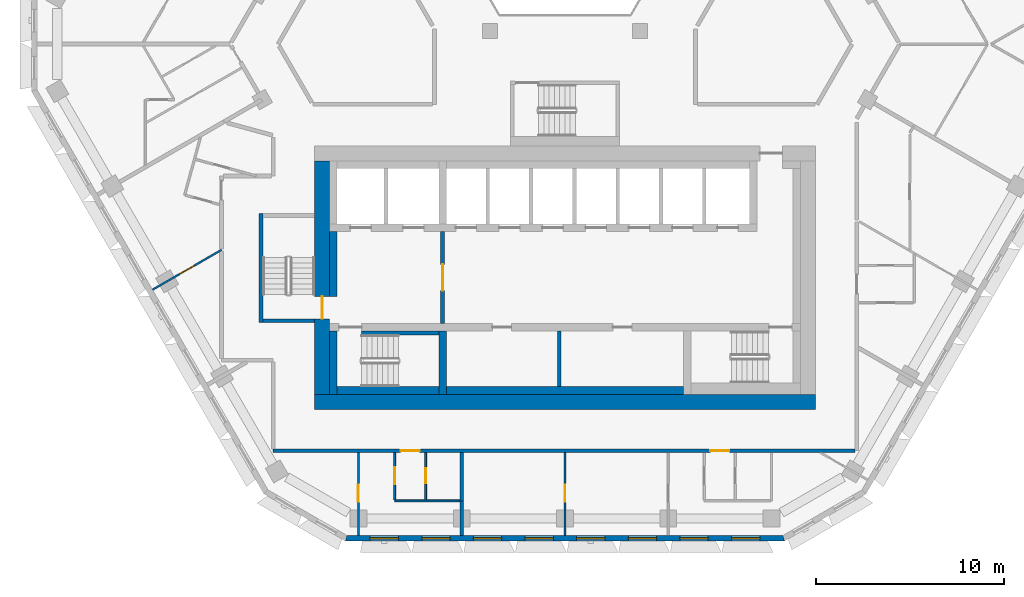
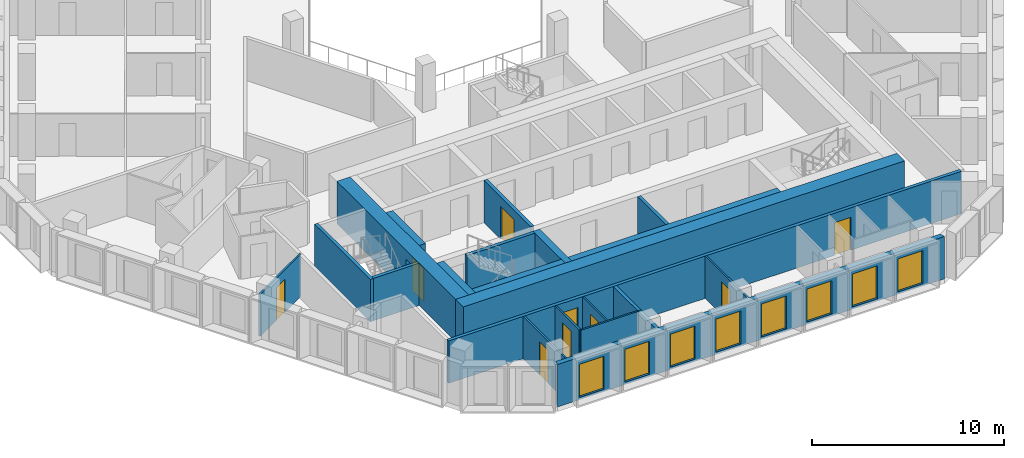
# One storey, part 3 of 17: 22 walls, 9 doors, 8 windows, 17 openings.
"""IFC4 building model written with IfcOpenShell, lengths in metres."""

from ifc_helpers import new_model, si_unit, direction, frame, frame_2d, origin, place, context, subcontext, project, spatial, polyline, rectangle, outline, extrude, material, layer, layer_set, type_object, element, fill, save


model = new_model("IFC4")

# Units and contexts
model_context = context("Model", 3, precision=1e-05, world=origin(), true_north=direction((0.0, 1.0)))
body_context = subcontext(model_context, "Body", "Model", "MODEL_VIEW")
ifc_project = project(units=[si_unit("LENGTHUNIT", "METRE"), si_unit("AREAUNIT", "SQUARE_METRE"), si_unit("VOLUMEUNIT", "CUBIC_METRE"), si_unit("PLANEANGLEUNIT", "RADIAN"), si_unit("MASSUNIT", "GRAM", prefix="KILO")], contexts=[model_context])

# Site, building, storey
site_placement = place(None, origin())
site = spatial("IfcSite", under=ifc_project, at=site_placement, CompositionType="ELEMENT")
building_placement = place(site_placement, origin())
building = spatial("IfcBuilding", under=site, at=building_placement, Name="Beryl Residences", CompositionType="ELEMENT")
storey_placement = place(building_placement, frame((0.0, 0.0, 144.60009765625)))
storey = spatial("IfcBuildingStorey", under=building, at=storey_placement, Name="L44", CompositionType="ELEMENT", Elevation=144.60009765625)

# Wall, openings, windows
ifc_material_1 = material(Name="Composite metal panel with mineral wool insulation")
ifc_layer_1 = layer(ifc_material_1, 0.300048828125)
ifc_layer_set_1 = layer_set([ifc_layer_1], Name="ES1 pale metal composite panel wall 300 mm")
wall_type_1 = type_object("IfcWallType", Name="ES1 pale metal composite panel wall 300 mm", PredefinedType="SOLIDWALL", material=ifc_layer_set_1)
wall_1_placement = place(storey_placement, frame((-11.662109375, -25.85009765625, 0.0), z_axis=(0.0, 0.0, 1.0), x_axis=(1.0, 0.0, 0.0)))
wall_1 = element("IfcWall", 1, at=wall_1_placement, inside=storey, type_object=wall_type_1, Name="ES1 external wall L44 S", PredefinedType="SOLIDWALL", context=body_context, shape_type="SweptSolid", body=[
    extrude(outline(polyline([(0.0, -0.14990234375), (23.32421875, -0.14990234375), (23.243896484375, 0.14990234375), (0.080322265625, 0.14990234375), (0.0, -0.14990234375)])), origin(), (0.0, 0.0, 1.0), 2.699951171875),
])
opening_1_placement = place(wall_1_placement, frame((1.31396484375, 0.0, 0.14990234375)))
opening_1 = element("IfcOpeningElement", 2, at=opening_1_placement, cuts=wall_1, Name="Opening W1", PredefinedType="OPENING", context=body_context, shape_type="SweptSolid", body=[
    extrude(rectangle(XDim=1.5, YDim=2.10009765625, at=frame_2d((0.75, 1.050048828125))), frame((0.0, 0.159912109375, 0.0), z_axis=(0.0, -1.0, 0.0), x_axis=(1.0, 0.0, 0.0)), (0.0, 0.0, 1.0), 0.320068359375),
])
opening_2_placement = place(wall_1_placement, frame((4.056884765625, 0.0, 0.14990234375)))
opening_2 = element("IfcOpeningElement", 3, at=opening_2_placement, cuts=wall_1, Name="Opening W1", PredefinedType="OPENING", context=body_context, shape_type="SweptSolid", body=[
    extrude(rectangle(XDim=1.5, YDim=2.10009765625, at=frame_2d((0.75, 1.050048828125))), frame((0.0, 0.159912109375, 0.0), z_axis=(0.0, -1.0, 0.0), x_axis=(1.0, 0.0, 0.0)), (0.0, 0.0, 1.0), 0.320068359375),
])
opening_3_placement = place(wall_1_placement, frame((6.799072265625, 0.0, 0.14990234375)))
opening_3 = element("IfcOpeningElement", 4, at=opening_3_placement, cuts=wall_1, Name="Opening W1", PredefinedType="OPENING", context=body_context, shape_type="SweptSolid", body=[
    extrude(rectangle(XDim=1.5, YDim=2.10009765625, at=frame_2d((0.75, 1.050048828125))), frame((0.0, 0.159912109375, 0.0), z_axis=(0.0, -1.0, 0.0), x_axis=(1.0, 0.0, 0.0)), (0.0, 0.0, 1.0), 0.320068359375),
])
opening_4_placement = place(wall_1_placement, frame((9.5419921875, 0.0, 0.14990234375)))
opening_4 = element("IfcOpeningElement", 5, at=opening_4_placement, cuts=wall_1, Name="Opening W1", PredefinedType="OPENING", context=body_context, shape_type="SweptSolid", body=[
    extrude(rectangle(XDim=1.5, YDim=2.10009765625, at=frame_2d((0.75, 1.050048828125))), frame((0.0, 0.159912109375, 0.0), z_axis=(0.0, -1.0, 0.0), x_axis=(1.0, 0.0, 0.0)), (0.0, 0.0, 1.0), 0.320068359375),
])
opening_5_placement = place(wall_1_placement, frame((12.283935546875, 0.0, 0.14990234375)))
opening_5 = element("IfcOpeningElement", 6, at=opening_5_placement, cuts=wall_1, Name="Opening W1", PredefinedType="OPENING", context=body_context, shape_type="SweptSolid", body=[
    extrude(rectangle(XDim=1.5, YDim=2.10009765625, at=frame_2d((0.75, 1.050048828125))), frame((0.0, 0.159912109375, 0.0), z_axis=(0.0, -1.0, 0.0), x_axis=(1.0, 0.0, 0.0)), (0.0, 0.0, 1.0), 0.320068359375),
])
opening_6_placement = place(wall_1_placement, frame((15.027099609375, 0.0, 0.14990234375)))
opening_6 = element("IfcOpeningElement", 7, at=opening_6_placement, cuts=wall_1, Name="Opening W1", PredefinedType="OPENING", context=body_context, shape_type="SweptSolid", body=[
    extrude(rectangle(XDim=1.5, YDim=2.10009765625, at=frame_2d((0.75, 1.050048828125))), frame((0.0, 0.159912109375, 0.0), z_axis=(0.0, -1.0, 0.0), x_axis=(1.0, 0.0, 0.0)), (0.0, 0.0, 1.0), 0.320068359375),
])
opening_7_placement = place(wall_1_placement, frame((17.76904296875, 0.0, 0.14990234375)))
opening_7 = element("IfcOpeningElement", 8, at=opening_7_placement, cuts=wall_1, Name="Opening W1", PredefinedType="OPENING", context=body_context, shape_type="SweptSolid", body=[
    extrude(rectangle(XDim=1.5, YDim=2.10009765625, at=frame_2d((0.75, 1.050048828125))), frame((0.0, 0.159912109375, 0.0), z_axis=(0.0, -1.0, 0.0), x_axis=(1.0, 0.0, 0.0)), (0.0, 0.0, 1.0), 0.320068359375),
])
opening_8_placement = place(wall_1_placement, frame((20.511962890625, 0.0, 0.14990234375)))
opening_8 = element("IfcOpeningElement", 9, at=opening_8_placement, cuts=wall_1, Name="Opening W1", PredefinedType="OPENING", context=body_context, shape_type="SweptSolid", body=[
    extrude(rectangle(XDim=1.5, YDim=2.10009765625, at=frame_2d((0.75, 1.050048828125))), frame((0.0, 0.159912109375, 0.0), z_axis=(0.0, -1.0, 0.0), x_axis=(1.0, 0.0, 0.0)), (0.0, 0.0, 1.0), 0.320068359375),
])
ifc_material_2 = material(Name="Aluminium and clear glass", Category="aluminium")
window_type = type_object("IfcWindowType", Name="W1 cell window 1500 x 2100 mm", PartitioningType="SINGLE_PANEL", PredefinedType="WINDOW", material=ifc_material_2)
window_1_placement = place(opening_1_placement, origin())
window_1 = element("IfcWindow", 10, at=window_1_placement, inside=storey, type_object=window_type, Name="W1 window L44 S 1", OverallHeight=2.10009765625, OverallWidth=1.5, PartitioningType="SINGLE_PANEL", PredefinedType="WINDOW", context=body_context, shape_type="SweptSolid", body=[
    extrude(rectangle(XDim=1.5, YDim=2.10009765625, at=frame_2d((0.75, 1.050048828125))), frame((0.0, 0.030029296875, 0.0), z_axis=(0.0, -1.0, 0.0), x_axis=(1.0, 0.0, 0.0)), (0.0, 0.0, 1.0), 0.06005859375),
])
fill(opening_1, window_1)
window_2_placement = place(opening_2_placement, origin())
window_2 = element("IfcWindow", 11, at=window_2_placement, inside=storey, type_object=window_type, Name="W1 window L44 S 2", OverallHeight=2.10009765625, OverallWidth=1.5, PartitioningType="SINGLE_PANEL", PredefinedType="WINDOW", context=body_context, shape_type="SweptSolid", body=[
    extrude(rectangle(XDim=1.5, YDim=2.10009765625, at=frame_2d((0.75, 1.050048828125))), frame((0.0, 0.030029296875, 0.0), z_axis=(0.0, -1.0, 0.0), x_axis=(1.0, 0.0, 0.0)), (0.0, 0.0, 1.0), 0.06005859375),
])
fill(opening_2, window_2)
window_3_placement = place(opening_3_placement, origin())
window_3 = element("IfcWindow", 12, at=window_3_placement, inside=storey, type_object=window_type, Name="W1 window L44 S 3", OverallHeight=2.10009765625, OverallWidth=1.5, PartitioningType="SINGLE_PANEL", PredefinedType="WINDOW", context=body_context, shape_type="SweptSolid", body=[
    extrude(rectangle(XDim=1.5, YDim=2.10009765625, at=frame_2d((0.75, 1.050048828125))), frame((0.0, 0.030029296875, 0.0), z_axis=(0.0, -1.0, 0.0), x_axis=(1.0, 0.0, 0.0)), (0.0, 0.0, 1.0), 0.06005859375),
])
fill(opening_3, window_3)
window_4_placement = place(opening_4_placement, origin())
window_4 = element("IfcWindow", 13, at=window_4_placement, inside=storey, type_object=window_type, Name="W1 window L44 S 4", OverallHeight=2.10009765625, OverallWidth=1.5, PartitioningType="SINGLE_PANEL", PredefinedType="WINDOW", context=body_context, shape_type="SweptSolid", body=[
    extrude(rectangle(XDim=1.5, YDim=2.10009765625, at=frame_2d((0.75, 1.050048828125))), frame((0.0, 0.030029296875, 0.0), z_axis=(0.0, -1.0, 0.0), x_axis=(1.0, 0.0, 0.0)), (0.0, 0.0, 1.0), 0.06005859375),
])
fill(opening_4, window_4)
window_5_placement = place(opening_5_placement, origin())
window_5 = element("IfcWindow", 14, at=window_5_placement, inside=storey, type_object=window_type, Name="W1 window L44 S 5", OverallHeight=2.10009765625, OverallWidth=1.5, PartitioningType="SINGLE_PANEL", PredefinedType="WINDOW", context=body_context, shape_type="SweptSolid", body=[
    extrude(rectangle(XDim=1.5, YDim=2.10009765625, at=frame_2d((0.75, 1.050048828125))), frame((0.0, 0.030029296875, 0.0), z_axis=(0.0, -1.0, 0.0), x_axis=(1.0, 0.0, 0.0)), (0.0, 0.0, 1.0), 0.06005859375),
])
fill(opening_5, window_5)
window_6_placement = place(opening_6_placement, origin())
window_6 = element("IfcWindow", 15, at=window_6_placement, inside=storey, type_object=window_type, Name="W1 window L44 S 6", OverallHeight=2.10009765625, OverallWidth=1.5, PartitioningType="SINGLE_PANEL", PredefinedType="WINDOW", context=body_context, shape_type="SweptSolid", body=[
    extrude(rectangle(XDim=1.5, YDim=2.10009765625, at=frame_2d((0.75, 1.050048828125))), frame((0.0, 0.030029296875, 0.0), z_axis=(0.0, -1.0, 0.0), x_axis=(1.0, 0.0, 0.0)), (0.0, 0.0, 1.0), 0.06005859375),
])
fill(opening_6, window_6)
window_7_placement = place(opening_7_placement, origin())
window_7 = element("IfcWindow", 16, at=window_7_placement, inside=storey, type_object=window_type, Name="W1 window L44 S 7", OverallHeight=2.10009765625, OverallWidth=1.5, PartitioningType="SINGLE_PANEL", PredefinedType="WINDOW", context=body_context, shape_type="SweptSolid", body=[
    extrude(rectangle(XDim=1.5, YDim=2.10009765625, at=frame_2d((0.75, 1.050048828125))), frame((0.0, 0.030029296875, 0.0), z_axis=(0.0, -1.0, 0.0), x_axis=(1.0, 0.0, 0.0)), (0.0, 0.0, 1.0), 0.06005859375),
])
fill(opening_7, window_7)
window_8_placement = place(opening_8_placement, origin())
window_8 = element("IfcWindow", 17, at=window_8_placement, inside=storey, type_object=window_type, Name="W1 window L44 S 8", OverallHeight=2.10009765625, OverallWidth=1.5, PartitioningType="SINGLE_PANEL", PredefinedType="WINDOW", context=body_context, shape_type="SweptSolid", body=[
    extrude(rectangle(XDim=1.5, YDim=2.10009765625, at=frame_2d((0.75, 1.050048828125))), frame((0.0, 0.030029296875, 0.0), z_axis=(0.0, -1.0, 0.0), x_axis=(1.0, 0.0, 0.0)), (0.0, 0.0, 1.0), 0.06005859375),
])
fill(opening_8, window_8)

# Wall, opening, door
ifc_material_3 = material(Name="Gypsum board partition on steel studs", Category="steel")
ifc_layer_2 = layer(ifc_material_3, 0.10009765625)
ifc_layer_set_2 = layer_set([ifc_layer_2], Name="PT1 partition 100 mm gypsum board on steel studs")
wall_type_2 = type_object("IfcWallType", Name="PT1 partition 100 mm gypsum board on steel studs", PredefinedType="PARTITIONING", material=ifc_layer_set_2)
wall_2_placement = place(storey_placement, frame((-9.049072265625, -21.300048828125, 0.0), z_axis=(0.0, 0.0, 1.0), x_axis=(0.0, -1.0, 0.0)))
wall_2 = element("IfcWall", 18, at=wall_2_placement, inside=storey, type_object=wall_type_2, Name="Wall PT1 L44 008", PredefinedType="PARTITIONING", context=body_context, shape_type="SweptSolid", body=[
    extrude(rectangle(XDim=2.509033203125, YDim=0.10009765625, at=frame_2d((1.25439453125, 0.0))), origin(), (0.0, 0.0, 1.0), 2.699951171875),
])
opening_9_placement = place(wall_2_placement, frame((0.780029296875, 0.0, 0.0)))
opening_9 = element("IfcOpeningElement", 19, at=opening_9_placement, cuts=wall_2, Name="Opening D1106", PredefinedType="OPENING", context=body_context, shape_type="SweptSolid", body=[
    extrude(rectangle(XDim=0.89990234375, YDim=2.10009765625, at=frame_2d((0.449951171875, 1.050048828125))), frame((0.0, 0.06005859375, 0.0), z_axis=(0.0, -1.0, 0.0), x_axis=(1.0, 0.0, 0.0)), (0.0, 0.0, 1.0), 0.1201171875),
])
ifc_material_4 = material(Name="Timber door leaf", Category="wood")
door_type_1 = type_object("IfcDoorType", Name="D2 room door 900 x 2100 mm", OperationType="SINGLE_SWING_LEFT", PredefinedType="DOOR", material=ifc_material_4)
door_1_placement = place(opening_9_placement, origin())
door_1 = element("IfcDoor", 20, at=door_1_placement, inside=storey, type_object=door_type_1, Name="Door D1106 L44 001", OperationType="SINGLE_SWING_RIGHT", OverallHeight=2.10009765625, OverallWidth=0.89990234375, PredefinedType="DOOR", context=body_context, shape_type="SweptSolid", body=[
    extrude(rectangle(XDim=0.89990234375, YDim=2.10009765625, at=frame_2d((0.449951171875, 1.050048828125))), frame((0.0, 0.02490234375, 0.0), z_axis=(0.0, -1.0, 0.0), x_axis=(1.0, 0.0, 0.0)), (0.0, 0.0, 1.0), 0.050048828125),
])
fill(opening_9, door_1)

# Wall
wall_3_placement = place(storey_placement, frame((-9.048095703125, -23.860107421875, 0.0), z_axis=(0.0, 0.0, 1.0), x_axis=(1.0, 0.0, 0.0)))
element("IfcWall", 21, at=wall_3_placement, inside=storey, type_object=wall_type_2, Name="Wall PT1 L44 021", PredefinedType="PARTITIONING", context=body_context, shape_type="SweptSolid", body=[
    extrude(rectangle(XDim=3.464111328125, YDim=0.10009765625, at=frame_2d((1.73193359375, 0.0))), origin(), (0.0, 0.0, 1.0), 2.699951171875),
])

# Wall, opening, door
wall_4_placement = place(storey_placement, frame((0.0009765625, -25.699951171875, 0.0), z_axis=(0.0, 0.0, 1.0), x_axis=(0.0, 1.0, 0.0)))
wall_4 = element("IfcWall", 22, at=wall_4_placement, inside=storey, type_object=wall_type_2, Name="Wall PT1 L44 044", PredefinedType="PARTITIONING", context=body_context, shape_type="SweptSolid", body=[
    extrude(rectangle(XDim=4.39990234375, YDim=0.10009765625, at=frame_2d((2.199951171875, 0.0))), origin(), (0.0, 0.0, 1.0), 2.699951171875),
])
opening_10_placement = place(wall_4_placement, frame((1.800048828125, 0.0, 0.0)))
opening_10 = element("IfcOpeningElement", 23, at=opening_10_placement, cuts=wall_4, Name="Opening D1114", PredefinedType="OPENING", context=body_context, shape_type="SweptSolid", body=[
    extrude(rectangle(XDim=0.89990234375, YDim=2.10009765625, at=frame_2d((0.449951171875, 1.050048828125))), frame((0.0, 0.06005859375, 0.0), z_axis=(0.0, -1.0, 0.0), x_axis=(1.0, 0.0, 0.0)), (0.0, 0.0, 1.0), 0.1201171875),
])
door_2_placement = place(opening_10_placement, origin())
door_2 = element("IfcDoor", 24, at=door_2_placement, inside=storey, type_object=door_type_1, Name="Door D1114 L44 001", OperationType="SINGLE_SWING_RIGHT", OverallHeight=2.10009765625, OverallWidth=0.89990234375, PredefinedType="DOOR", context=body_context, shape_type="SweptSolid", body=[
    extrude(rectangle(XDim=0.89990234375, YDim=2.10009765625, at=frame_2d((0.449951171875, 1.050048828125))), frame((0.0, 0.02490234375, 0.0), z_axis=(0.0, -1.0, 0.0), x_axis=(1.0, 0.0, 0.0)), (0.0, 0.0, 1.0), 0.050048828125),
])
fill(opening_10, door_2)

wall_5_placement = place(storey_placement, frame((-7.404052734375, -23.81005859375, 0.0), z_axis=(0.0, 0.0, 1.0), x_axis=(0.0, 1.0, 0.0)))
wall_5 = element("IfcWall", 25, at=wall_5_placement, inside=storey, type_object=wall_type_2, Name="Wall PT1 L44 047", PredefinedType="PARTITIONING", context=body_context, shape_type="SweptSolid", body=[
    extrude(rectangle(XDim=2.510009765625, YDim=0.10009765625, at=frame_2d((1.2548828125, 0.0))), origin(), (0.0, 0.0, 1.0), 2.699951171875),
])
opening_11_placement = place(wall_5_placement, frame((0.8798828125, 0.0, 0.0)))
opening_11 = element("IfcOpeningElement", 26, at=opening_11_placement, cuts=wall_5, Name="Opening D1107", PredefinedType="OPENING", context=body_context, shape_type="SweptSolid", body=[
    extrude(rectangle(XDim=0.800048828125, YDim=2.10009765625, at=frame_2d((0.39990234375, 1.050048828125))), frame((0.0, 0.06005859375, 0.0), z_axis=(0.0, -1.0, 0.0), x_axis=(1.0, 0.0, 0.0)), (0.0, 0.0, 1.0), 0.1201171875),
])
ifc_material_5 = material(Name="Timber door leaf", Category="wood")
door_type_2 = type_object("IfcDoorType", Name="D3 bathroom door 800 x 2100 mm", OperationType="SINGLE_SWING_LEFT", PredefinedType="DOOR", material=ifc_material_5)
door_3_placement = place(opening_11_placement, origin())
door_3 = element("IfcDoor", 27, at=door_3_placement, inside=storey, type_object=door_type_2, Name="Door D1107 L44 001", OperationType="SINGLE_SWING_LEFT", OverallHeight=2.10009765625, OverallWidth=0.800048828125, PredefinedType="DOOR", context=body_context, shape_type="SweptSolid", body=[
    extrude(rectangle(XDim=0.800048828125, YDim=2.10009765625, at=frame_2d((0.39990234375, 1.050048828125))), frame((0.0, 0.02490234375, 0.0), z_axis=(0.0, -1.0, 0.0), x_axis=(1.0, 0.0, 0.0)), (0.0, 0.0, 1.0), 0.050048828125),
])
fill(opening_11, door_3)

wall_6_placement = place(storey_placement, frame((-10.968994140625, -25.699951171875, 0.0), z_axis=(0.0, 0.0, 1.0), x_axis=(0.0, 1.0, 0.0)))
wall_6 = element("IfcWall", 28, at=wall_6_placement, inside=storey, type_object=wall_type_2, Name="Wall PT1 L44 048", PredefinedType="PARTITIONING", context=body_context, shape_type="SweptSolid", body=[
    extrude(rectangle(XDim=4.39990234375, YDim=0.10009765625, at=frame_2d((2.199951171875, 0.0))), origin(), (0.0, 0.0, 1.0), 2.699951171875),
])
opening_12_placement = place(wall_6_placement, frame((1.800048828125, 0.0, 0.0)))
opening_12 = element("IfcOpeningElement", 29, at=opening_12_placement, cuts=wall_6, Name="Opening D1108", PredefinedType="OPENING", context=body_context, shape_type="SweptSolid", body=[
    extrude(rectangle(XDim=0.89990234375, YDim=2.10009765625, at=frame_2d((0.449951171875, 1.050048828125))), frame((0.0, 0.06005859375, 0.0), z_axis=(0.0, -1.0, 0.0), x_axis=(1.0, 0.0, 0.0)), (0.0, 0.0, 1.0), 0.1201171875),
])
door_4_placement = place(opening_12_placement, origin())
door_4 = element("IfcDoor", 30, at=door_4_placement, inside=storey, type_object=door_type_1, Name="Door D1108 L44 001", OperationType="SINGLE_SWING_RIGHT", OverallHeight=2.10009765625, OverallWidth=0.89990234375, PredefinedType="DOOR", context=body_context, shape_type="SweptSolid", body=[
    extrude(rectangle(XDim=0.89990234375, YDim=2.10009765625, at=frame_2d((0.449951171875, 1.050048828125))), frame((0.0, 0.02490234375, 0.0), z_axis=(0.0, -1.0, 0.0), x_axis=(1.0, 0.0, 0.0)), (0.0, 0.0, 1.0), 0.050048828125),
])
fill(opening_12, door_4)

wall_7_placement = place(storey_placement, frame((-21.910888671875, -12.64892578125, 0.0), z_axis=(0.0, 0.0, 1.0), x_axis=(0.865984571374, 0.500070717141, 0.0)))
wall_7 = element("IfcWall", 31, at=wall_7_placement, inside=storey, type_object=wall_type_2, Name="Wall PT1 L44 052", PredefinedType="PARTITIONING", context=body_context, shape_type="SweptSolid", body=[
    extrude(rectangle(XDim=4.2275390625, YDim=0.10009765625, at=frame_2d((2.11376953125, 0.0))), origin(), (0.0, 0.0, 1.0), 2.699951171875),
])
opening_13_placement = place(wall_7_placement, frame((1.6630859375, 0.0, 0.0)))
opening_13 = element("IfcOpeningElement", 32, at=opening_13_placement, cuts=wall_7, Name="Opening D1104", PredefinedType="OPENING", context=body_context, shape_type="SweptSolid", body=[
    extrude(rectangle(XDim=0.89990234375, YDim=2.10009765625, at=frame_2d((0.449951171875, 1.050048828125))), frame((0.0, 0.06005859375, 0.0), z_axis=(0.0, -1.0, 0.0), x_axis=(1.0, 0.0, 0.0)), (0.0, 0.0, 1.0), 0.1201171875),
])
door_5_placement = place(opening_13_placement, origin())
door_5 = element("IfcDoor", 33, at=door_5_placement, inside=storey, type_object=door_type_1, Name="Door D1104 L44 001", OperationType="SINGLE_SWING_RIGHT", OverallHeight=2.10009765625, OverallWidth=0.89990234375, PredefinedType="DOOR", context=body_context, shape_type="SweptSolid", body=[
    extrude(rectangle(XDim=0.89990234375, YDim=2.10009765625, at=frame_2d((0.449951171875, 1.050048828125))), frame((0.0, 0.02490234375, 0.0), z_axis=(0.0, -1.0, 0.0), x_axis=(1.0, 0.0, 0.0)), (0.0, 0.0, 1.0), 0.050048828125),
])
fill(opening_13, door_5)

ifc_material_6 = material(Name="Concrete masonry", Category="masonry")
ifc_layer_3 = layer(ifc_material_6, 0.199951171875)
ifc_layer_set_3 = layer_set([ifc_layer_3], Name="PT13 lobby wall 200 mm")
wall_type_3 = type_object("IfcWallType", Name="PT13 lobby wall 200 mm", PredefinedType="PARTITIONING", material=ifc_layer_set_3)
wall_8_placement = place(storey_placement, frame((-6.5, -14.449951171875, 0.0), z_axis=(0.0, 0.0, 1.0), x_axis=(0.0, 1.0, 0.0)))
wall_8 = element("IfcWall", 34, at=wall_8_placement, inside=storey, type_object=wall_type_3, Name="Lobby wall 11", PredefinedType="PARTITIONING", context=body_context, shape_type="SweptSolid", body=[
    extrude(rectangle(XDim=4.89990234375, YDim=0.199951171875, at=frame_2d((2.449951171875, 0.0))), origin(), (0.0, 0.0, 1.0), 2.699951171875),
])
opening_14_placement = place(wall_8_placement, frame((3.14990234375, 0.0, 0.0), z_axis=(0.0, 0.0, 1.0), x_axis=(-1.0, 0.0, 0.0)))
opening_14 = element("IfcOpeningElement", 35, at=opening_14_placement, cuts=wall_8, Name="Opening FD-FFL", PredefinedType="OPENING", context=body_context, shape_type="SweptSolid", body=[
    extrude(rectangle(XDim=1.39990234375, YDim=2.10009765625, at=frame_2d((0.699951171875, 1.050048828125))), frame((0.0, 0.10986328125, 0.0), z_axis=(0.0, -1.0, 0.0), x_axis=(1.0, 0.0, 0.0)), (0.0, 0.0, 1.0), 0.219970703125),
])
ifc_material_7 = material(Name="Steel door leaf in steel frame", Category="steel")
door_type_3 = type_object("IfcDoorType", Name="D5 lobby door 1400 x 2100 mm", OperationType="DOUBLE_DOOR_SINGLE_SWING", PredefinedType="DOOR", material=ifc_material_7)
door_6_placement = place(opening_14_placement, origin())
door_6 = element("IfcDoor", 36, at=door_6_placement, inside=storey, type_object=door_type_3, Name="Door FD-FFL L44 001", OperationType="DOUBLE_DOOR_SINGLE_SWING", OverallHeight=2.10009765625, OverallWidth=1.39990234375, PredefinedType="DOOR", context=body_context, shape_type="SweptSolid", body=[
    extrude(rectangle(XDim=1.39990234375, YDim=2.10009765625, at=frame_2d((0.699951171875, 1.050048828125))), frame((0.0, 0.02490234375, 0.0), z_axis=(0.0, -1.0, 0.0), x_axis=(1.0, 0.0, 0.0)), (0.0, 0.0, 1.0), 0.050048828125),
])
fill(opening_14, door_6)

# Walls
ifc_material_8 = material(Name="Concrete masonry", Category="masonry")
ifc_layer_4 = layer(ifc_material_8, 0.39990234375)
ifc_layer_set_4 = layer_set([ifc_layer_4], Name="PT13-400 lobby wall 400 mm")
wall_type_4 = type_object("IfcWallType", Name="PT13-400 lobby wall 400 mm", PredefinedType="PARTITIONING", material=ifc_layer_set_4)
wall_9_placement = place(storey_placement, frame((-12.300048828125, -13.0, 0.0), z_axis=(0.0, 0.0, 1.0), x_axis=(0.0, 1.0, 0.0)))
element("IfcWall", 37, at=wall_9_placement, inside=storey, type_object=wall_type_4, Name="Lobby wall 05", PredefinedType="PARTITIONING", context=body_context, shape_type="SweptSolid", body=[
    extrude(rectangle(XDim=3.449951171875, YDim=0.39990234375, at=frame_2d((1.72509765625, 0.0))), origin(), (0.0, 0.0, 1.0), 2.699951171875),
])
ifc_material_9 = material(Name="Acoustic double stud gypsum board wall")
ifc_layer_5 = layer(ifc_material_9, 0.199951171875)
ifc_layer_set_5 = layer_set([ifc_layer_5], Name="PT3 party wall 200 mm acoustic double stud")
wall_type_5 = type_object("IfcWallType", Name="PT3 party wall 200 mm acoustic double stud", PredefinedType="PARTITIONING", material=ifc_layer_set_5)
wall_10_placement = place(storey_placement, frame((-5.48388671875, -23.860107421875, 0.0), z_axis=(0.0, 0.0, 1.0), x_axis=(0.0, -1.0, 0.0)))
element("IfcWall", 38, at=wall_10_placement, inside=storey, type_object=wall_type_5, Name="Wall PT3 L44 003", PredefinedType="PARTITIONING", context=body_context, shape_type="SweptSolid", body=[
    extrude(rectangle(XDim=1.83984375, YDim=0.199951171875, at=frame_2d((0.919921875, 0.0))), origin(), (0.0, 0.0, 1.0), 2.699951171875),
])
wall_11_placement = place(storey_placement, frame((-5.48388671875, -23.860107421875, 0.0), z_axis=(0.0, 0.0, 1.0), x_axis=(0.0, 1.0, 0.0)))
element("IfcWall", 39, at=wall_11_placement, inside=storey, type_object=wall_type_5, Name="Wall PT3 L44 009", PredefinedType="PARTITIONING", context=body_context, shape_type="SweptSolid", body=[
    extrude(rectangle(XDim=2.56005859375, YDim=0.199951171875, at=frame_2d((1.280029296875, 0.0))), origin(), (0.0, 0.0, 1.0), 2.699951171875),
])

# Wall, openings, doors
ifc_material_10 = material(Name="Double stud gypsum board wall")
ifc_layer_6 = layer(ifc_material_10, 0.199951171875)
ifc_layer_set_6 = layer_set([ifc_layer_6], Name="PT4 corridor wall 200 mm double stud")
wall_type_6 = type_object("IfcWallType", Name="PT4 corridor wall 200 mm double stud", PredefinedType="PARTITIONING", material=ifc_layer_set_6)
wall_12_placement = place(storey_placement, frame((-15.4990234375, -21.199951171875, 0.0), z_axis=(0.0, 0.0, 1.0), x_axis=(1.0, 0.0, 0.0)))
wall_12 = element("IfcWall", 40, at=wall_12_placement, inside=storey, type_object=wall_type_6, Name="Wall PT4 L44 012", PredefinedType="PARTITIONING", context=body_context, shape_type="SweptSolid", body=[
    extrude(rectangle(XDim=30.89794921875, YDim=0.199951171875, at=frame_2d((15.448974609375, 0.0))), origin(), (0.0, 0.0, 1.0), 2.699951171875),
])
opening_15_placement = place(wall_12_placement, frame((6.77294921875, 0.0, 0.0)))
opening_15 = element("IfcOpeningElement", 41, at=opening_15_placement, cuts=wall_12, Name="Opening D1105", PredefinedType="OPENING", context=body_context, shape_type="SweptSolid", body=[
    extrude(rectangle(XDim=1.0, YDim=2.10009765625, at=frame_2d((0.5, 1.050048828125))), frame((0.0, 0.10986328125, 0.0), z_axis=(0.0, -1.0, 0.0), x_axis=(1.0, 0.0, 0.0)), (0.0, 0.0, 1.0), 0.219970703125),
])
opening_16_placement = place(wall_12_placement, frame((23.22802734375, 0.0, 0.0)))
opening_16 = element("IfcOpeningElement", 42, at=opening_16_placement, cuts=wall_12, Name="Opening D1109", PredefinedType="OPENING", context=body_context, shape_type="SweptSolid", body=[
    extrude(rectangle(XDim=1.0, YDim=2.10009765625, at=frame_2d((0.5, 1.050048828125))), frame((0.0, 0.10986328125, 0.0), z_axis=(0.0, -1.0, 0.0), x_axis=(1.0, 0.0, 0.0)), (0.0, 0.0, 1.0), 0.219970703125),
])
ifc_material_11 = material(Name="Timber door leaf", Category="wood")
door_type_4 = type_object("IfcDoorType", Name="D1 flat entrance door 1000 x 2100 mm", OperationType="SINGLE_SWING_LEFT", PredefinedType="DOOR", material=ifc_material_11)
door_7_placement = place(opening_15_placement, origin())
door_7 = element("IfcDoor", 43, at=door_7_placement, inside=storey, type_object=door_type_4, Name="Door D1105 L44 001", OperationType="SINGLE_SWING_LEFT", OverallHeight=2.10009765625, OverallWidth=1.0, PredefinedType="DOOR", context=body_context, shape_type="SweptSolid", body=[
    extrude(rectangle(XDim=1.0, YDim=2.10009765625, at=frame_2d((0.5, 1.050048828125))), frame((0.0, 0.02490234375, 0.0), z_axis=(0.0, -1.0, 0.0), x_axis=(1.0, 0.0, 0.0)), (0.0, 0.0, 1.0), 0.050048828125),
])
fill(opening_15, door_7)
door_8_placement = place(opening_16_placement, origin())
door_8 = element("IfcDoor", 44, at=door_8_placement, inside=storey, type_object=door_type_4, Name="Door D1109 L44 001", OperationType="SINGLE_SWING_LEFT", OverallHeight=2.10009765625, OverallWidth=1.0, PredefinedType="DOOR", context=body_context, shape_type="SweptSolid", body=[
    extrude(rectangle(XDim=1.0, YDim=2.10009765625, at=frame_2d((0.5, 1.050048828125))), frame((0.0, 0.02490234375, 0.0), z_axis=(0.0, -1.0, 0.0), x_axis=(1.0, 0.0, 0.0)), (0.0, 0.0, 1.0), 0.050048828125),
])
fill(opening_16, door_8)

# Walls
ifc_material_12 = material(Name="Concrete C40/50", Category="concrete")
ifc_layer_7 = layer(ifc_material_12, 0.199951171875)
ifc_layer_set_7 = layer_set([ifc_layer_7], Name="PT5 stair enclosure wall 200 mm reinforced concrete C40/50")
wall_type_7 = type_object("IfcWallType", Name="PT5 stair enclosure wall 200 mm reinforced concrete C40/50", PredefinedType="SOLIDWALL", material=ifc_layer_set_7)
wall_13_placement = place(storey_placement, frame((-16.14990234375, -14.39990234375, 0.0), z_axis=(0.0, 0.0, 1.0), x_axis=(0.0, 1.0, 0.0)))
element("IfcWall", 45, at=wall_13_placement, inside=storey, type_object=wall_type_7, Name="Stair wall 01", PredefinedType="SOLIDWALL", context=body_context, shape_type="SweptSolid", body=[
    extrude(rectangle(XDim=5.7998046875, YDim=0.199951171875, at=frame_2d((2.89990234375, 0.0))), origin(), (0.0, 0.0, 1.0), 2.699951171875),
])
wall_14_placement = place(storey_placement, frame((-16.050048828125, -14.300048828125, 0.0), z_axis=(0.0, 0.0, 1.0), x_axis=(1.0, 0.0, 0.0)))
element("IfcWall", 46, at=wall_14_placement, inside=storey, type_object=wall_type_7, Name="Stair wall 02", PredefinedType="SOLIDWALL", context=body_context, shape_type="SweptSolid", body=[
    extrude(rectangle(XDim=2.75, YDim=0.199951171875, at=frame_2d((1.375, 0.0))), origin(), (0.0, 0.0, 1.0), 2.699951171875),
])
wall_15_placement = place(storey_placement, frame((-10.800048828125, -14.949951171875, 0.0), z_axis=(0.0, 0.0, 1.0), x_axis=(1.0, 0.0, 0.0)))
element("IfcWall", 47, at=wall_15_placement, inside=storey, type_object=wall_type_7, Name="Stair wall 09", PredefinedType="SOLIDWALL", context=body_context, shape_type="SweptSolid", body=[
    extrude(rectangle(XDim=4.10009765625, YDim=0.199951171875, at=frame_2d((2.050048828125, 0.0))), origin(), (0.0, 0.0, 1.0), 2.699951171875),
])
ifc_material_13 = material(Name="Concrete C40/50", Category="concrete")
ifc_layer_8 = layer(ifc_material_13, 0.39990234375)
ifc_layer_set_8 = layer_set([ifc_layer_8], Name="PT5-400 stair enclosure wall 400 mm")
wall_type_8 = type_object("IfcWallType", Name="PT5-400 stair enclosure wall 400 mm", PredefinedType="SOLIDWALL", material=ifc_layer_set_8)
wall_16_placement = place(storey_placement, frame((-12.300048828125, -18.199951171875, 0.0), z_axis=(0.0, 0.0, 1.0), x_axis=(0.0, 1.0, 0.0)))
element("IfcWall", 48, at=wall_16_placement, inside=storey, type_object=wall_type_8, Name="Stair wall 04", PredefinedType="SOLIDWALL", context=body_context, shape_type="SweptSolid", body=[
    extrude(rectangle(XDim=3.349853515625, YDim=0.39990234375, at=frame_2d((1.6748046875, 0.0))), origin(), (0.0, 0.0, 1.0), 2.699951171875),
])
wall_17_placement = place(storey_placement, frame((-12.10009765625, -18.0, 0.0), z_axis=(0.0, 0.0, 1.0), x_axis=(1.0, 0.0, 0.0)))
element("IfcWall", 49, at=wall_17_placement, inside=storey, type_object=wall_type_8, Name="Stair wall 07", PredefinedType="SOLIDWALL", context=body_context, shape_type="SweptSolid", body=[
    extrude(rectangle(XDim=5.400146484375, YDim=0.39990234375, at=frame_2d((2.7001953125, 0.0))), origin(), (0.0, 0.0, 1.0), 2.699951171875),
])
ifc_material_14 = material(Name="Concrete masonry", Category="masonry")
ifc_layer_9 = layer(ifc_material_14, 0.199951171875)
ifc_layer_set_9 = layer_set([ifc_layer_9], Name="PT8-200 service room wall 200 mm")
wall_type_9 = type_object("IfcWallType", Name="PT8-200 service room wall 200 mm", PredefinedType="PARTITIONING", material=ifc_layer_set_9)
wall_18_placement = place(storey_placement, frame((-0.300048828125, -17.800048828125, 0.0), z_axis=(0.0, 0.0, 1.0), x_axis=(0.0, 1.0, 0.0)))
element("IfcWall", 50, at=wall_18_placement, inside=storey, type_object=wall_type_9, Name="Core room wall 16", PredefinedType="PARTITIONING", context=body_context, shape_type="SweptSolid", body=[
    extrude(rectangle(XDim=2.949951171875, YDim=0.199951171875, at=frame_2d((1.47509765625, 0.0))), origin(), (0.0, 0.0, 1.0), 2.699951171875),
])
ifc_material_15 = material(Name="Concrete masonry", Category="masonry")
ifc_layer_10 = layer(ifc_material_15, 0.39990234375)
ifc_layer_set_10 = layer_set([ifc_layer_10], Name="PT8-400 service room wall 400 mm")
wall_type_10 = type_object("IfcWallType", Name="PT8-400 service room wall 400 mm", PredefinedType="PARTITIONING", material=ifc_layer_set_10)
wall_19_placement = place(storey_placement, frame((-6.300048828125, -18.0, 0.0), z_axis=(0.0, 0.0, 1.0), x_axis=(1.0, 0.0, 0.0)))
element("IfcWall", 51, at=wall_19_placement, inside=storey, type_object=wall_type_10, Name="Core room wall 12", PredefinedType="PARTITIONING", context=body_context, shape_type="SweptSolid", body=[
    extrude(rectangle(XDim=12.60009765625, YDim=0.39990234375, at=frame_2d((6.300048828125, 0.0))), origin(), (0.0, 0.0, 1.0), 2.699951171875),
])
ifc_material_16 = material(Name="Concrete C60/75", Category="concrete")
ifc_layer_11 = layer(ifc_material_16, 0.800048828125)
ifc_layer_set_11 = layer_set([ifc_layer_11], Name="SW3 core outer wall 800 mm C60/75")
wall_type_11 = type_object("IfcWallType", Name="SW3 core outer wall 800 mm C60/75", PredefinedType="SHEAR", material=ifc_layer_set_11)
wall_20_placement = place(storey_placement, frame((-13.300048828125, -18.60009765625, 0.0), z_axis=(0.0, 0.0, 1.0), x_axis=(1.0, 0.0, 0.0)))
element("IfcWall", 52, at=wall_20_placement, inside=storey, type_object=wall_type_11, Name="Core wall S L44", PredefinedType="SHEAR", context=body_context, shape_type="SweptSolid", body=[
    extrude(rectangle(XDim=26.60009765625, YDim=0.800048828125, at=frame_2d((13.300048828125, 0.0))), origin(), (0.0, 0.0, 1.0), 2.699951171875),
])

# Wall, opening, door
wall_21_placement = place(storey_placement, frame((-12.89990234375, -18.199951171875, 0.0), z_axis=(0.0, 0.0, 1.0), x_axis=(0.0, 1.0, 0.0)))
wall_21 = element("IfcWall", 53, at=wall_21_placement, inside=storey, type_object=wall_type_11, Name="Core wall W L44", PredefinedType="SHEAR", context=body_context, shape_type="SweptSolid", body=[
    extrude(rectangle(XDim=12.39990234375, YDim=0.800048828125, at=frame_2d((6.199951171875, 0.0))), origin(), (0.0, 0.0, 1.0), 2.699951171875),
])
opening_17_placement = place(wall_21_placement, frame((4.0, 0.0, 0.0)))
opening_17 = element("IfcOpeningElement", 54, at=opening_17_placement, cuts=wall_21, Name="Opening SD-2", PredefinedType="OPENING", context=body_context, shape_type="SweptSolid", body=[
    extrude(rectangle(XDim=1.199951171875, YDim=2.10009765625, at=frame_2d((0.60009765625, 1.050048828125))), frame((0.0, 0.409912109375, 0.0), z_axis=(0.0, -1.0, 0.0), x_axis=(1.0, 0.0, 0.0)), (0.0, 0.0, 1.0), 0.820068359375),
])
ifc_material_17 = material(Name="Steel door leaf in steel frame", Category="steel")
door_type_5 = type_object("IfcDoorType", Name="D4 stair door 1200 x 2100 mm", OperationType="SINGLE_SWING_LEFT", PredefinedType="DOOR", material=ifc_material_17)
door_9_placement = place(opening_17_placement, origin())
door_9 = element("IfcDoor", 55, at=door_9_placement, inside=storey, type_object=door_type_5, Name="Door SD-2 L44 001", OperationType="SINGLE_SWING_RIGHT", OverallHeight=2.10009765625, OverallWidth=1.199951171875, PredefinedType="DOOR", context=body_context, shape_type="SweptSolid", body=[
    extrude(rectangle(XDim=1.199951171875, YDim=2.10009765625, at=frame_2d((0.60009765625, 1.050048828125))), frame((0.0, 0.02490234375, 0.0), z_axis=(0.0, -1.0, 0.0), x_axis=(1.0, 0.0, 0.0)), (0.0, 0.0, 1.0), 0.050048828125),
])
fill(opening_17, door_9)

# Wall
ifc_material_18 = material(Name="Concrete C60/75", Category="concrete")
ifc_layer_12 = layer(ifc_material_18, 0.39990234375)
ifc_layer_set_12 = layer_set([ifc_layer_12], Name="SW8 core internal wall 400 mm C60/75")
wall_type_12 = type_object("IfcWallType", Name="SW8 core internal wall 400 mm C60/75", PredefinedType="SHEAR", material=ifc_layer_set_12)
wall_22_placement = place(storey_placement, frame((-6.5, -18.199951171875, 0.0), z_axis=(0.0, 0.0, 1.0), x_axis=(0.0, 1.0, 0.0)))
element("IfcWall", 56, at=wall_22_placement, inside=storey, type_object=wall_type_12, Name="Core wall XS1 L44", PredefinedType="SHEAR", context=body_context, shape_type="SweptSolid", body=[
    extrude(rectangle(XDim=3.349853515625, YDim=0.39990234375, at=frame_2d((1.6748046875, 0.0))), origin(), (0.0, 0.0, 1.0), 2.699951171875),
])

save(model, "model.ifc")
